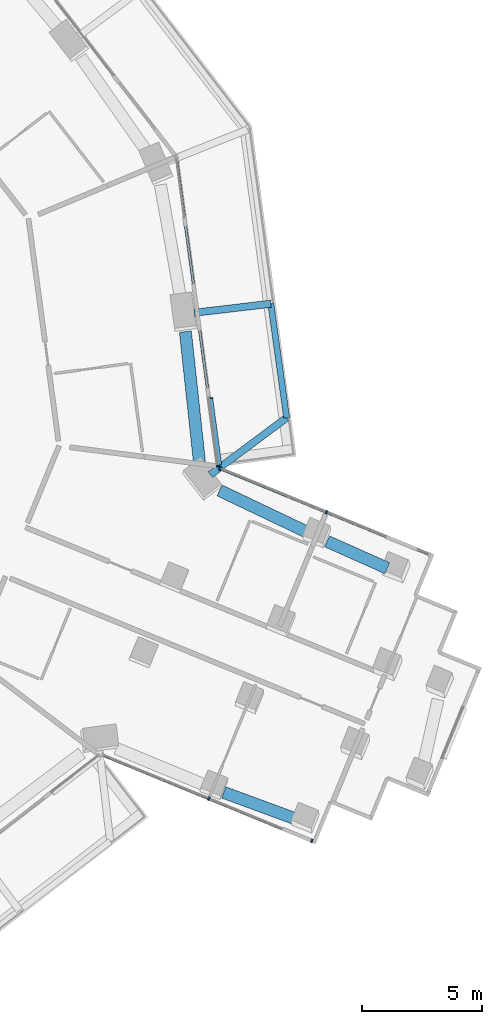
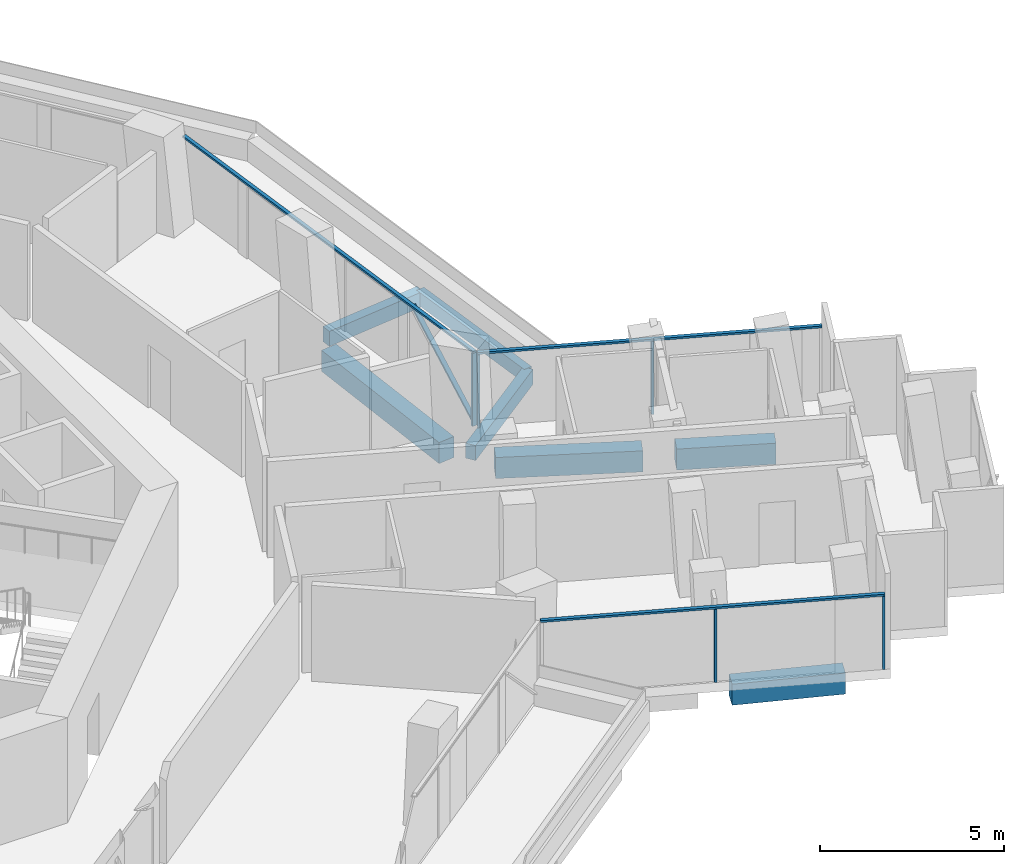
# One storey, part 6 of 27: 9 members, 7 beams, 3 elements without a shape of their own.
"""IFC4 building model written with IfcOpenShell, lengths in metres."""

from ifc_helpers import new_model, si_unit, direction, frame, origin, origin_2d, place, context, subcontext, project, spatial, rectangle, extrude, material, layer, layer_set, material_profile, profile_set, type_object, element, aggregate, save


model = new_model("IFC4")

# Units and contexts
model_context = context("Model", 3, precision=1e-05, world=origin(), true_north=direction((0.0, 1.0)))
body_context = subcontext(model_context, "Body", "Model", "MODEL_VIEW")
ifc_project = project(units=[si_unit("LENGTHUNIT", "METRE"), si_unit("AREAUNIT", "SQUARE_METRE"), si_unit("VOLUMEUNIT", "CUBIC_METRE"), si_unit("PLANEANGLEUNIT", "RADIAN"), si_unit("MASSUNIT", "GRAM", prefix="KILO")], contexts=[model_context])

# Site, building, storey
site_placement = place(None, origin())
site = spatial("IfcSite", under=ifc_project, at=site_placement, CompositionType="ELEMENT")
building_placement = place(site_placement, origin())
building = spatial("IfcBuilding", under=site, at=building_placement, Name="Verdalira Terraces Hotel", CompositionType="ELEMENT")
storey_placement = place(building_placement, frame((0.0, 0.0, 64.5)))
storey = spatial("IfcBuildingStorey", under=building, at=storey_placement, Name="L14", CompositionType="ELEMENT", Elevation=64.5)

# Beams
ifc_material_1 = material(Name="Concrete C40", Category="concrete")
ifc_material_profile_1 = material_profile(ifc_material_1, rectangle(XDim=0.300049, YDim=0.5, at=origin_2d()), Name="RC 300X500")
ifc_profile_set_1 = profile_set([ifc_material_profile_1], Name="Concrete C40")
beam_type_1 = type_object("IfcBeamType", Name="Balcony cantilever beam RC 300X500 C40", PredefinedType="BEAM", material=ifc_profile_set_1)
beam_1_placement = place(storey_placement, frame((24.516113, -3.537354, -0.560059), z_axis=(0.801562207, 0.597911388, 0.0), x_axis=(-0.597911388, 0.801562207, 0.0)))
element("IfcBeam", 1, at=beam_1_placement, inside=storey, type_object=beam_type_1, Name="Balcony cantilever beam R39-1", PredefinedType="BEAM", context=body_context, shape_type="SweptSolid", body=[
    extrude(rectangle(XDim=0.300049, YDim=0.5, at=origin_2d()), origin(), (0.0, 0.0, 1.0), 3.950195),
])
beam_2_placement = place(storey_placement, frame((23.846924, 3.180664, -0.560059), z_axis=(0.993130805, 0.11700942, 0.0), x_axis=(-0.11700942, 0.993130805, 0.0)))
element("IfcBeam", 2, at=beam_2_placement, inside=storey, type_object=beam_type_1, Name="Balcony cantilever beam R39-2", PredefinedType="BEAM", context=body_context, shape_type="SweptSolid", body=[
    extrude(rectangle(XDim=0.300049, YDim=0.5, at=origin_2d()), origin(), (0.0, 0.0, 1.0), 3.200684),
])
ifc_material_2 = material(Name="Concrete C40", Category="concrete")
ifc_material_profile_2 = material_profile(ifc_material_2, rectangle(XDim=0.25, YDim=0.449951, at=origin_2d()), Name="RC 250X450")
ifc_profile_set_2 = profile_set([ifc_material_profile_2], Name="Concrete C40")
beam_type_2 = type_object("IfcBeamType", Name="Balcony edge beam RC 250X450 C40", PredefinedType="BEAM", material=ifc_profile_set_2)
beam_3_placement = place(storey_placement, frame((27.682373, -1.175537, -0.534912), z_axis=(-0.137505684, 0.990500978, 0.0), x_axis=(-0.990500978, -0.137505684, 0.0)))
element("IfcBeam", 3, at=beam_3_placement, inside=storey, type_object=beam_type_2, Name="Balcony edge beam R39-1", PredefinedType="BEAM", context=body_context, shape_type="SweptSolid", body=[
    extrude(rectangle(XDim=0.25, YDim=0.449951, at=origin_2d()), origin(), (0.0, 0.0, 1.0), 4.776123),
])

# Curtain wall, members
ifc_material_3 = material(Name="Clear glass", Category="glass")
ifc_layer_1 = layer(ifc_material_3, 0.14990234375)
ifc_layer_set_1 = layer_set([ifc_layer_1], Name="CW1 curtain wall")
curtain_wall_type_1 = type_object("IfcCurtainWallType", Name="CW1 curtain wall", PredefinedType="NOTDEFINED", material=ifc_layer_set_1)
curtain_wall_1_placement = place(storey_placement, origin())
curtain_wall_1 = element("IfcCurtainWall", 4, at=curtain_wall_1_placement, inside=storey, type_object=curtain_wall_type_1, Name="CW1 curtain wall L14 edge 39", PredefinedType="NOTDEFINED")
ifc_material_4 = material(Name="Terracotta frame", Category="masonry")
ifc_material_profile_3 = material_profile(ifc_material_4, rectangle(XDim=0.060059, YDim=0.149902, at=origin_2d()), Name="MU 60x150")
ifc_profile_set_3 = profile_set([ifc_material_profile_3], Name="Terracotta frame")
member_type_1 = type_object("IfcMemberType", Name="CW1 mullion 60x150", PredefinedType="MULLION", material=ifc_profile_set_3)
member_1_placement = place(storey_placement, frame((24.831055, -3.180176, 0.0), z_axis=(0.0, 0.0, 1.0), x_axis=(-0.133640259, 0.991029909, 0.0)))
member_1 = element("IfcMember", 5, at=member_1_placement, type_object=member_type_1, Name="CW1 mullion", PredefinedType="MULLION", context=body_context, shape_type="SweptSolid", body=[
    extrude(rectangle(XDim=0.060059, YDim=0.149902, at=origin_2d()), origin(), (0.0, 0.0, 1.0), 2.425049),
])
ifc_material_5 = material(Name="Terracotta frame", Category="masonry")
ifc_material_profile_4 = material_profile(ifc_material_5, rectangle(XDim=0.110107, YDim=0.064941, at=origin_2d()), Name="TR 65x110")
ifc_profile_set_4 = profile_set([ifc_material_profile_4], Name="Terracotta frame")
member_type_2 = type_object("IfcMemberType", Name="CW1 transom 65x110", PredefinedType="USERDEFINED", material=ifc_profile_set_4)
member_2_placement = place(storey_placement, frame((24.834961, -3.209717, 2.45752), z_axis=(-0.133639383, 0.991030027, 0.0), x_axis=(-0.991030027, -0.133639383, 0.0)))
member_2 = element("IfcMember", 6, at=member_2_placement, type_object=member_type_2, Name="CW1 transom", ObjectType="TRANSOM", PredefinedType="USERDEFINED", context=body_context, shape_type="SweptSolid", body=[
    extrude(rectangle(XDim=0.110107, YDim=0.064941, at=origin_2d()), origin(), (0.0, 0.0, 1.0), 12.959717),
])

ifc_material_6 = material(Name="Clear glass", Category="glass")
ifc_layer_2 = layer(ifc_material_6, 0.14990234375)
ifc_layer_set_2 = layer_set([ifc_layer_2], Name="CW2 curtain wall")
curtain_wall_type_2 = type_object("IfcCurtainWallType", Name="CW2 curtain wall", PredefinedType="NOTDEFINED", material=ifc_layer_set_2)
curtain_wall_2_placement = place(storey_placement, origin())
curtain_wall_2 = element("IfcCurtainWall", 7, at=curtain_wall_2_placement, inside=storey, type_object=curtain_wall_type_2, Name="CW2 curtain wall L14 edge 28", PredefinedType="NOTDEFINED")
ifc_material_7 = material(Name="Terracotta frame", Category="masonry")
ifc_material_profile_5 = material_profile(ifc_material_7, rectangle(XDim=0.070068, YDim=0.149902, at=origin_2d()), Name="MU 70x150")
ifc_profile_set_5 = profile_set([ifc_material_profile_5], Name="Terracotta frame")
member_type_3 = type_object("IfcMemberType", Name="CW2 mullion 70x150", PredefinedType="MULLION", material=ifc_profile_set_5)
member_3_placement = place(storey_placement, frame((24.450928, -16.983398, 0.0), z_axis=(0.0, 0.0, 1.0), x_axis=(0.925077207, -0.379779096, 0.0)))
member_3 = element("IfcMember", 8, at=member_3_placement, type_object=member_type_3, Name="CW2 mullion", PredefinedType="MULLION", context=body_context, shape_type="SweptSolid", body=[
    extrude(rectangle(XDim=0.070068, YDim=0.149902, at=origin_2d()), origin(), (0.0, 0.0, 1.0), 2.425049),
])
member_4_placement = place(storey_placement, frame((28.729736, -18.73999, 0.0), z_axis=(0.0, 0.0, 1.0), x_axis=(0.925077207, -0.379779096, 0.0)))
member_4 = element("IfcMember", 9, at=member_4_placement, type_object=member_type_3, Name="CW2 mullion", PredefinedType="MULLION", context=body_context, shape_type="SweptSolid", body=[
    extrude(rectangle(XDim=0.070068, YDim=0.149902, at=origin_2d()), origin(), (0.0, 0.0, 1.0), 2.425049),
])

curtain_wall_3_placement = place(storey_placement, origin())
curtain_wall_3 = element("IfcCurtainWall", 10, at=curtain_wall_3_placement, inside=storey, type_object=curtain_wall_type_2, Name="CW2 curtain wall L14 edge 38", PredefinedType="NOTDEFINED")
member_5_placement = place(storey_placement, frame((29.331055, -5.096191, 0.0), z_axis=(0.0, 0.0, 1.0), x_axis=(-0.925077207, 0.379779096, 0.0)))
member_5 = element("IfcMember", 11, at=member_5_placement, type_object=member_type_3, Name="CW2 mullion", PredefinedType="MULLION", context=body_context, shape_type="SweptSolid", body=[
    extrude(rectangle(XDim=0.070068, YDim=0.149902, at=origin_2d()), origin(), (0.0, 0.0, 1.0), 2.425049),
])
member_6_placement = place(storey_placement, frame((24.91333, -3.282471, 0.0), z_axis=(0.0, 0.0, 1.0), x_axis=(-0.925077207, 0.379779096, 0.0)))
member_6 = element("IfcMember", 12, at=member_6_placement, type_object=member_type_3, Name="CW2 mullion", PredefinedType="MULLION", context=body_context, shape_type="SweptSolid", body=[
    extrude(rectangle(XDim=0.070068, YDim=0.149902, at=origin_2d()), origin(), (0.0, 0.0, 1.0), 2.425049),
])

# Member
ifc_material_8 = material(Name="Terracotta frame", Category="masonry")
ifc_material_profile_6 = material_profile(ifc_material_8, rectangle(XDim=0.11499, YDim=0.064941, at=origin_2d()), Name="TR 65x115")
ifc_profile_set_6 = profile_set([ifc_material_profile_6], Name="Terracotta frame")
member_type_4 = type_object("IfcMemberType", Name="CW2 transom 65x115", PredefinedType="USERDEFINED", material=ifc_profile_set_6)
member_7_placement = place(storey_placement, frame((20.000732, -15.156494, 2.45752), z_axis=(0.925076912, -0.379779813, 0.0), x_axis=(0.379779813, 0.925076912, 0.0)))
member_7 = element("IfcMember", 13, at=member_7_placement, type_object=member_type_4, Name="CW2 transom", ObjectType="TRANSOM", PredefinedType="USERDEFINED", context=body_context, shape_type="SweptSolid", body=[
    extrude(rectangle(XDim=0.11499, YDim=0.064941, at=origin_2d()), origin(), (0.0, 0.0, 1.0), 9.471191),
])

aggregate(curtain_wall_2, [member_3, member_4, member_7])

member_8_placement = place(storey_placement, frame((33.642334, -6.865967, 2.45752), z_axis=(-0.925085968, 0.379757753, 0.0), x_axis=(-0.379757753, -0.925085968, 0.0)))
member_8 = element("IfcMember", 14, at=member_8_placement, type_object=member_type_4, Name="CW2 transom", ObjectType="TRANSOM", PredefinedType="USERDEFINED", context=body_context, shape_type="SweptSolid", body=[
    extrude(rectangle(XDim=0.11499, YDim=0.064941, at=origin_2d()), origin(), (0.0, 0.0, 1.0), 9.470947),
])

aggregate(curtain_wall_3, [member_5, member_6, member_8])

ifc_material_9 = material(Name="Terracotta frame", Category="masonry")
ifc_material_profile_7 = material_profile(ifc_material_9, rectangle(XDim=0.149902, YDim=0.060059, at=origin_2d()), Name="GB 60x150")
ifc_profile_set_7 = profile_set([ifc_material_profile_7], Name="Terracotta frame")
member_type_5 = type_object("IfcMemberType", Name="Diagonal glazing bar 60x150", PredefinedType="USERDEFINED", material=ifc_profile_set_7)
member_9_placement = place(storey_placement, frame((24.911377, -3.110596, 0.02417), z_axis=(-0.101588171, 0.753673501, 0.64935052), x_axis=(-0.991037676, -0.133582652, 0.0)))
member_9 = element("IfcMember", 15, at=member_9_placement, type_object=member_type_5, Name="Diagonal glazing bar", ObjectType="GLAZING BAR", PredefinedType="USERDEFINED", context=body_context, shape_type="SweptSolid", body=[
    extrude(rectangle(XDim=0.149902, YDim=0.060059, at=origin_2d()), origin(), (0.0, 0.0, 1.0), 3.660156),
])

aggregate(curtain_wall_1, [member_1, member_2, member_9])

# Beams
ifc_material_10 = material(Name="Concrete C70", Category="concrete")
ifc_material_profile_8 = material_profile(ifc_material_10, rectangle(XDim=0.5, YDim=0.699951, at=origin_2d()), Name="RC 500X700")
ifc_profile_set_8 = profile_set([ifc_material_profile_8], Name="Concrete C70")
beam_type_3 = type_object("IfcBeamType", Name="Spandrel beam RC 500X700 C70", PredefinedType="SPANDREL", material=ifc_profile_set_8)
beam_4_placement = place(storey_placement, frame((25.074219, -16.730713, -0.659912), z_axis=(0.93838828, -0.345582748, 0.0), x_axis=(0.345582748, 0.93838828, 0.0)))
element("IfcBeam", 16, at=beam_4_placement, inside=storey, type_object=beam_type_3, Name="Spandrel beam B26", PredefinedType="SPANDREL", context=body_context, shape_type="SweptSolid", body=[
    extrude(rectangle(XDim=0.5, YDim=0.699951, at=origin_2d()), origin(), (0.0, 0.0, 1.0), 3.137451),
])
beam_5_placement = place(storey_placement, frame((31.855225, -7.421631, -0.659912), z_axis=(-0.913242013, 0.407417508, 0.0), x_axis=(-0.407417508, -0.913242013, 0.0)))
element("IfcBeam", 17, at=beam_5_placement, inside=storey, type_object=beam_type_3, Name="Spandrel beam B28", PredefinedType="SPANDREL", context=body_context, shape_type="SweptSolid", body=[
    extrude(rectangle(XDim=0.5, YDim=0.699951, at=origin_2d()), origin(), (0.0, 0.0, 1.0), 2.726562),
])
beam_6_placement = place(storey_placement, frame((28.529785, -5.925293, -0.659912), z_axis=(-0.902704517, 0.430261031, 0.0), x_axis=(-0.430261031, -0.902704517, 0.0)))
element("IfcBeam", 18, at=beam_6_placement, inside=storey, type_object=beam_type_3, Name="Spandrel beam B29", PredefinedType="SPANDREL", context=body_context, shape_type="SweptSolid", body=[
    extrude(rectangle(XDim=0.5, YDim=0.699951, at=origin_2d()), origin(), (0.0, 0.0, 1.0), 4.022461),
])
beam_7_placement = place(storey_placement, frame((24.061279, -3.010986, -0.659912), z_axis=(-0.107006984, 0.994258269, 0.0), x_axis=(-0.994258269, -0.107006984, 0.0)))
element("IfcBeam", 19, at=beam_7_placement, inside=storey, type_object=beam_type_3, Name="Spandrel beam B30", PredefinedType="SPANDREL", context=body_context, shape_type="SweptSolid", body=[
    extrude(rectangle(XDim=0.5, YDim=0.699951, at=origin_2d()), origin(), (0.0, 0.0, 1.0), 5.439209),
])

save(model, "model.ifc")
